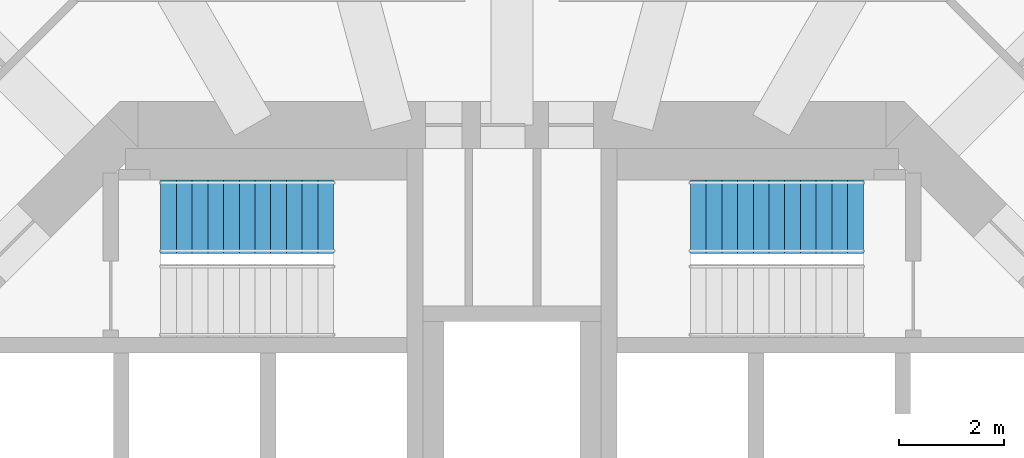
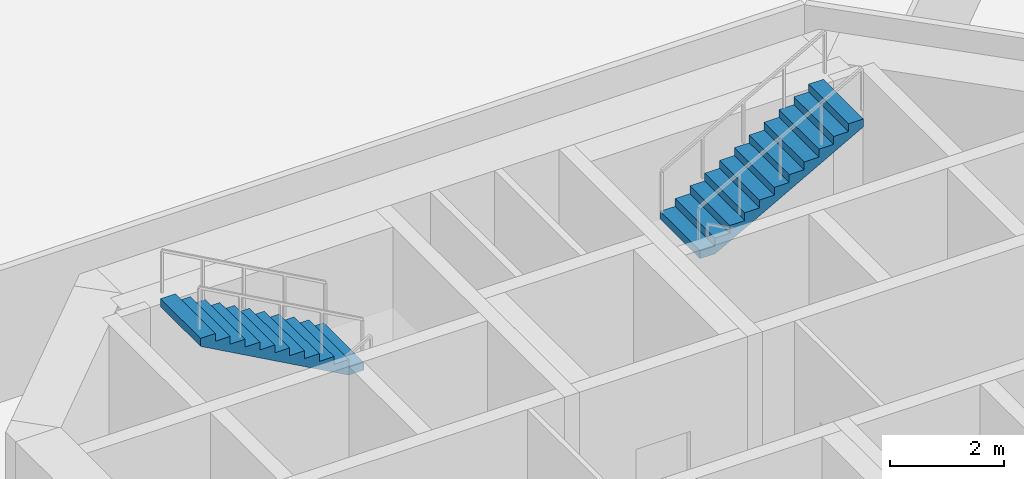
# One storey, part 7 of 9: 2 stair flights, 2 elements without a shape of their own.
"""IFC4 building model written with IfcOpenShell, lengths in metres."""

from ifc_helpers import new_model, si_unit, direction, frame, origin, place, context, subcontext, project, spatial, polyline, outline, extrude, material, type_object, element, aggregate, save


model = new_model("IFC4")

# Units and contexts
model_context = context("Model", 3, precision=1e-05, world=origin(), true_north=direction((0.0, 1.0)))
body_context = subcontext(model_context, "Body", "Model", "MODEL_VIEW")
ifc_project = project(units=[si_unit("LENGTHUNIT", "METRE"), si_unit("AREAUNIT", "SQUARE_METRE"), si_unit("VOLUMEUNIT", "CUBIC_METRE"), si_unit("PLANEANGLEUNIT", "RADIAN"), si_unit("MASSUNIT", "GRAM", prefix="KILO")], contexts=[model_context])

# Site, building, storey
site_placement = place(None, origin())
site = spatial("IfcSite", under=ifc_project, at=site_placement, CompositionType="ELEMENT")
building_placement = place(site_placement, origin())
building = spatial("IfcBuilding", under=site, at=building_placement, Name="Torre Triforio", CompositionType="ELEMENT")
storey_placement = place(building_placement, frame((0.0, 0.0, 47.0)))
storey = spatial("IfcBuildingStorey", under=building, at=storey_placement, Name="L09", CompositionType="ELEMENT", Elevation=47.0)

# Stair, stair flight
ifc_material = material(Name="Concrete C40", Category="concrete")
stair_type = type_object("IfcStairType", Name="STAIR HALF-TURN", PredefinedType="HALF_TURN_STAIR", material=ifc_material)
stair_1_placement = place(storey_placement, origin())
stair_1 = element("IfcStair", 1, at=stair_1_placement, inside=storey, type_object=stair_type, Name="Exit stair 1", PredefinedType="HALF_TURN_STAIR")
stair_flight_type = type_object("IfcStairFlightType", Name="STAIR FLIGHT 1400", PredefinedType="STRAIGHT", material=ifc_material)
stair_flight_1_placement = place(storey_placement, frame((-3.39990234375, 6.800048828125, 2.0), z_axis=(0.0, 0.0, 1.0), x_axis=(-1.0, 0.0, 0.0)))
stair_flight_1 = element("IfcStairFlight", 2, at=stair_flight_1_placement, type_object=stair_flight_type, Name="ST1 flight 2", NumberOfRisers=12, NumberOfTreads=11, PredefinedType="STRAIGHT", RiserHeight=0.166666667, TreadLength=0.3, context=body_context, shape_type="SweptSolid", body=[
    extrude(outline(polyline([(0.0, 0.0), (0.0, 0.166748046875), (0.300048828125, 0.166748046875), (0.300048828125, 0.333251953125), (0.60009765625, 0.333251953125), (0.60009765625, 0.5), (0.89990234375, 0.5), (0.89990234375, 0.666748046875), (1.199951171875, 0.666748046875), (1.199951171875, 0.833251953125), (1.5, 0.833251953125), (1.5, 1.0), (1.800048828125, 1.0), (1.800048828125, 1.166748046875), (2.10009765625, 1.166748046875), (2.10009765625, 1.333251953125), (2.39990234375, 1.333251953125), (2.39990234375, 1.5), (2.699951171875, 1.5), (2.699951171875, 1.666748046875), (3.0, 1.666748046875), (3.0, 1.833251953125), (3.300048828125, 1.833251953125), (3.300048828125, 2.0), (3.300048828125, 1.661865234375), (0.30859375, 0.0), (0.0, 0.0)])), frame((0.0, 0.699951171875, 0.0), z_axis=(0.0, -1.0, 0.0), x_axis=(1.0, 0.0, 0.0)), (0.0, 0.0, 1.0), 1.39990234375),
])
aggregate(stair_1, [stair_flight_1])

stair_2_placement = place(storey_placement, origin())
stair_2 = element("IfcStair", 3, at=stair_2_placement, inside=storey, type_object=stair_type, Name="Exit stair 2", PredefinedType="HALF_TURN_STAIR")
stair_flight_2_placement = place(storey_placement, frame((3.39990234375, 6.800048828125, 2.0), z_axis=(0.0, 0.0, 1.0), x_axis=(1.0, 0.0, 0.0)))
stair_flight_2 = element("IfcStairFlight", 4, at=stair_flight_2_placement, type_object=stair_flight_type, Name="ST2 flight 2", NumberOfRisers=12, NumberOfTreads=11, PredefinedType="STRAIGHT", RiserHeight=0.166666667, TreadLength=0.3, context=body_context, shape_type="SweptSolid", body=[
    extrude(outline(polyline([(0.0, 0.0), (0.0, 0.166748046875), (0.300048828125, 0.166748046875), (0.300048828125, 0.333251953125), (0.60009765625, 0.333251953125), (0.60009765625, 0.5), (0.89990234375, 0.5), (0.89990234375, 0.666748046875), (1.199951171875, 0.666748046875), (1.199951171875, 0.833251953125), (1.5, 0.833251953125), (1.5, 1.0), (1.800048828125, 1.0), (1.800048828125, 1.166748046875), (2.10009765625, 1.166748046875), (2.10009765625, 1.333251953125), (2.39990234375, 1.333251953125), (2.39990234375, 1.5), (2.699951171875, 1.5), (2.699951171875, 1.666748046875), (3.0, 1.666748046875), (3.0, 1.833251953125), (3.300048828125, 1.833251953125), (3.300048828125, 2.0), (3.300048828125, 1.661865234375), (0.30859375, 0.0), (0.0, 0.0)])), frame((0.0, 0.699951171875, 0.0), z_axis=(0.0, -1.0, 0.0), x_axis=(1.0, 0.0, 0.0)), (0.0, 0.0, 1.0), 1.39990234375),
])
aggregate(stair_2, [stair_flight_2])

save(model, "model.ifc")
